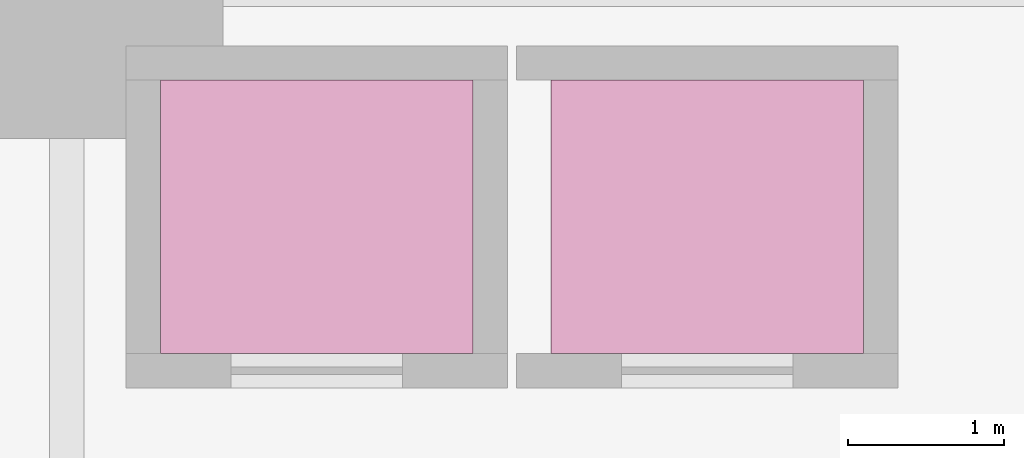
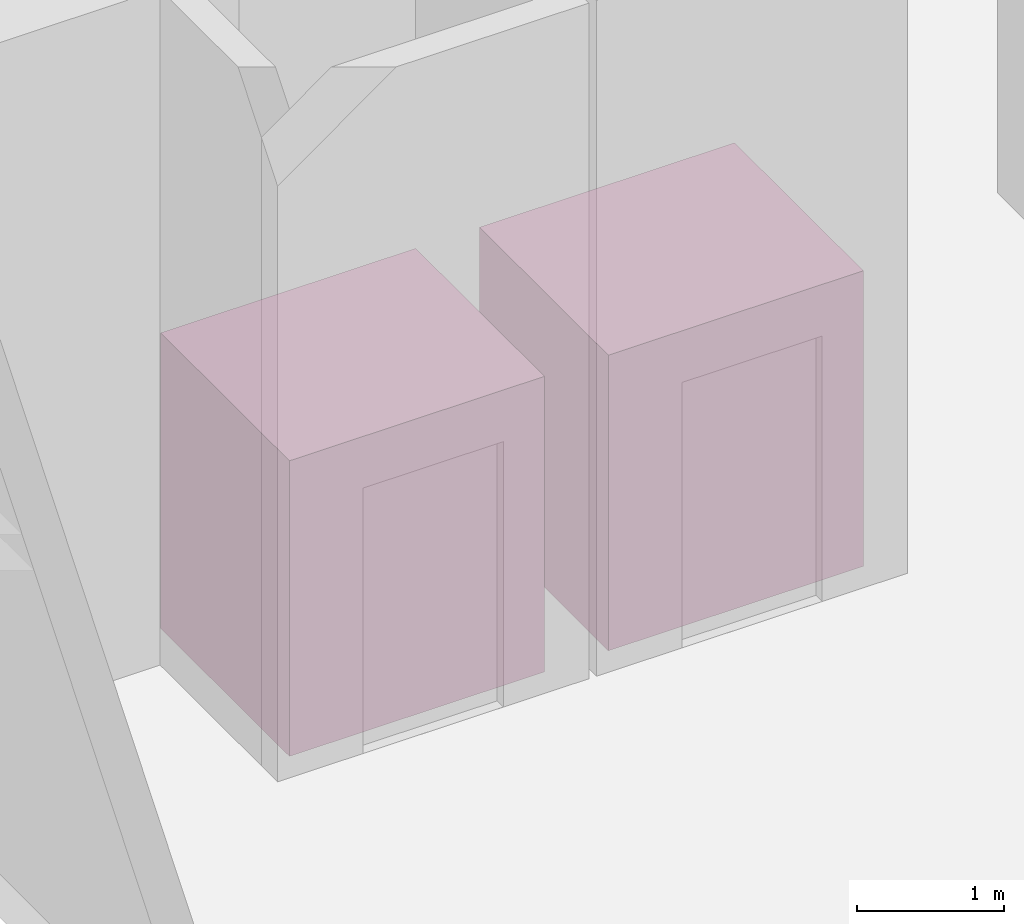
# One storey, part 16 of 16: 2 transport elements.
"""IFC4 building model written with IfcOpenShell, lengths in metres."""

from ifc_helpers import new_model, si_unit, direction, frame, origin, origin_2d, place, context, subcontext, project, spatial, rectangle, extrude, source, transform, mapped, material, type_object, element, save


model = new_model("IFC4")

# Units and contexts
model_context = context("Model", 3, precision=1e-05, world=origin(), true_north=direction((0.0, 1.0)))
body_context = subcontext(model_context, "Body", "Model", "MODEL_VIEW")
ifc_project = project(units=[si_unit("LENGTHUNIT", "METRE"), si_unit("AREAUNIT", "SQUARE_METRE"), si_unit("VOLUMEUNIT", "CUBIC_METRE"), si_unit("PLANEANGLEUNIT", "RADIAN"), si_unit("MASSUNIT", "GRAM", prefix="KILO")], contexts=[model_context])

# Site, building, storey
site_placement = place(None, origin())
site = spatial("IfcSite", under=ifc_project, at=site_placement, CompositionType="ELEMENT")
building_placement = place(site_placement, origin())
building = spatial("IfcBuilding", under=site, at=building_placement, Name="Vardaveli Station Tower", CompositionType="ELEMENT")
storey_placement = place(building_placement, frame((0.0, 0.0, -6.0)))
storey = spatial("IfcBuildingStorey", under=building, at=storey_placement, Name="B01", CompositionType="ELEMENT", Elevation=-6.0)

# Transport elements
ifc_material = material(Name="Brushed stainless steel elevator cab", Category="steel")
transport_element_type = type_object("IfcTransportElementType", Name="LIFT-PASS-1600", PredefinedType="ELEVATOR", material=ifc_material)
shared_shape = source(origin(), body_context, "Body", "SweptSolid", [
    extrude(rectangle(XDim=2.0, YDim=1.75, at=origin_2d()), origin(), (0.0, 0.0, 1.0), 2.449951171875),
])
for number, where, z_axis, x_axis, name in (
    (1, (18.0, 40.10009765625, 0.0), (0.0, 0.0, 1.0), (1.0, 0.0, 0.0), "Lift POD-01"),
    (2, (20.5, 40.10009765625, 0.0), (0.0, 0.0, 1.0), (1.0, 0.0, 0.0), "Lift POD-02"),
):
    element("IfcTransportElement", number, at=place(storey_placement, frame(where, z_axis=z_axis, x_axis=x_axis)), inside=storey, type_object=transport_element_type, Name=name, PredefinedType="ELEVATOR", context=body_context, shape_type="MappedRepresentation", body=[
        mapped(shared_shape, transform((0.0, 0.0, 0.0), scale=1.0)),
    ])

save(model, "model.ifc")
